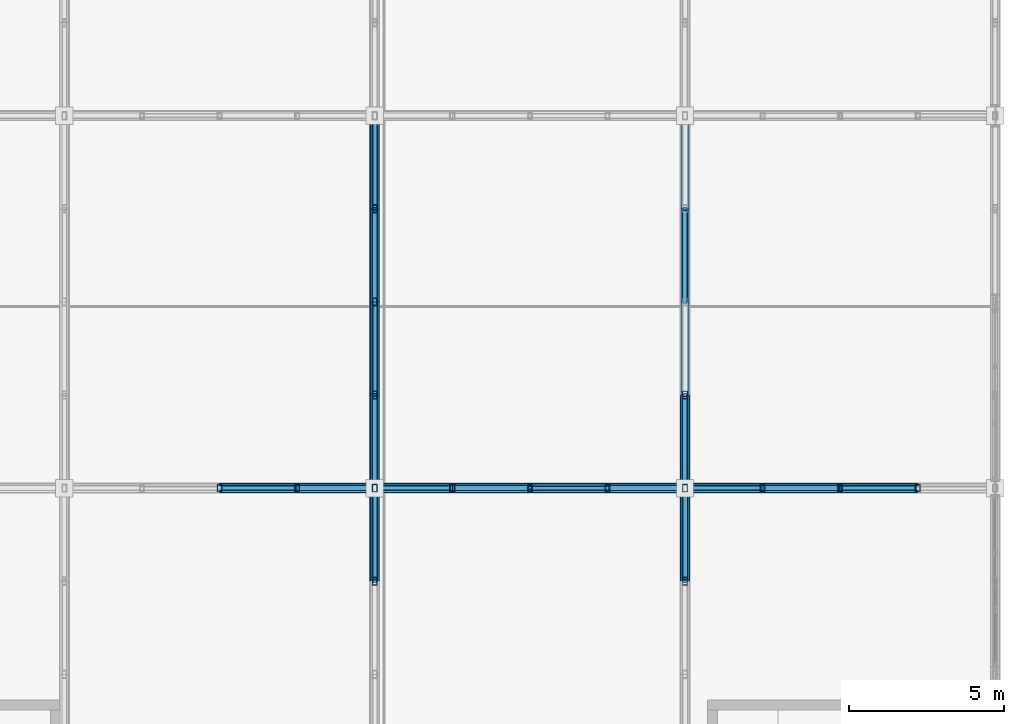
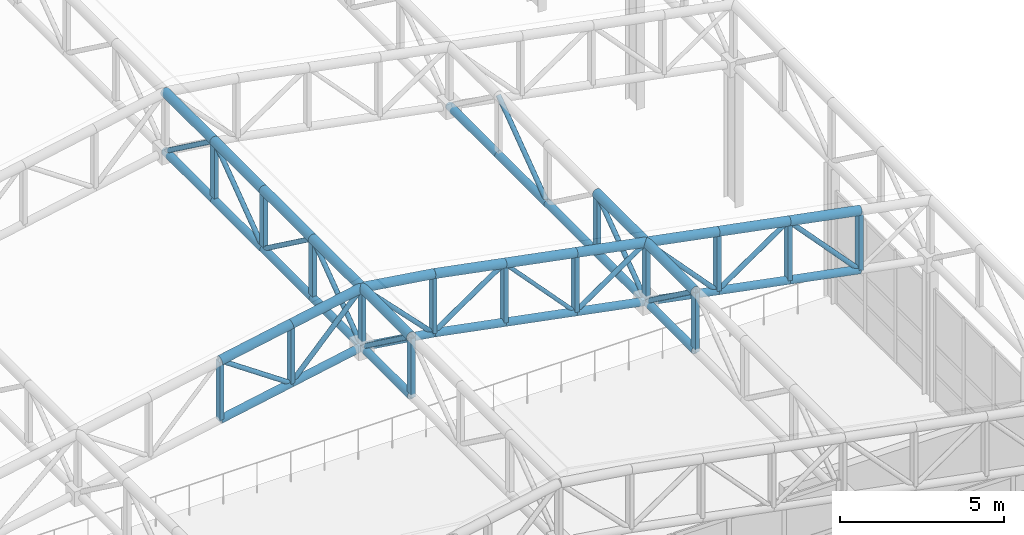
# One storey, part 55 of 112: 68 members.
"""IFC4 building model written with IfcOpenShell, lengths in metres."""

import ifcopenshell
import ifcopenshell.guid

model = None  # the IFC model being written
_history = None  # IfcOwnerHistory: only IFC2X3 demands one
_inside = {}  # id of a spatial element -> (the spatial element, [elements in it])
_under = {}  # id of a project, library or spatial element -> (it, [spatial elements below it])
_declared = {}  # id of a project -> (the project, [libraries it declares])
_typed = {}  # id of a type object -> (the type object, [elements of that type])
_made_of = {}  # id of a material, layer set ... -> (it, [elements and type objects made of it])


def new_model(schema):
    """Start an empty IFC model of exactly this schema.

    Asked for "IFC4X3", IfcOpenShell would pick the latest addendum, in which some entities
    have other attributes; the version numbers below select the first issue.
    IFC2X3 requires an IfcOwnerHistory on every rooted entity: one is made here for all.
    """
    global model, _history
    if schema == "IFC4X3":
        model = ifcopenshell.file(schema_version=(4, 3, 0, 0))
    else:
        model = ifcopenshell.file(schema=schema)
    _inside.clear()
    _under.clear()
    _declared.clear()
    _typed.clear()
    _made_of.clear()
    _history = None
    if model.schema == "IFC2X3":
        org = make("IfcOrganization", Name="unknown")
        user = make(
            "IfcPersonAndOrganization",
            ThePerson=make("IfcPerson", FamilyName="unknown"),
            TheOrganization=org,
        )
        app = make(
            "IfcApplication",
            ApplicationDeveloper=org,
            Version="unknown",
            ApplicationFullName="unknown",
            ApplicationIdentifier="unknown",
        )
        _history = make(
            "IfcOwnerHistory",
            OwningUser=user,
            OwningApplication=app,
            ChangeAction="ADDED",
            CreationDate=0,
        )
    return model


def make(cls, **values):
    """One entity of the class cls with the attributes given. An attribute that is None is left unset."""
    return model.create_entity(
        cls, **{name: value for name, value in values.items() if value is not None}
    )


def rooted(cls, **values):
    """An entity with a GlobalId (a new one), such as an element, a storey or a relation."""
    return make(cls, GlobalId=ifcopenshell.guid.new(), OwnerHistory=_history, **values)


def si_unit(unit_type, name, prefix=None):
    """IfcSIUnit, for example si_unit("LENGTHUNIT", "METRE", prefix="MILLI")."""
    return make("IfcSIUnit", UnitType=unit_type, Prefix=prefix, Name=name)


def assignment(units):
    """IfcUnitAssignment: the units of a project."""
    return None if units is None else make("IfcUnitAssignment", Units=units)


def point(xyz):
    """IfcCartesianPoint."""
    return None if xyz is None else make("IfcCartesianPoint", Coordinates=xyz)


def direction(xyz):
    """IfcDirection."""
    return None if xyz is None else make("IfcDirection", DirectionRatios=xyz)


def frame(location, z_axis=None, x_axis=None):
    """IfcAxis2Placement3D, a coordinate frame: its origin and axes. An axis left out is left unset."""
    return make(
        "IfcAxis2Placement3D",
        Location=point(location),
        Axis=direction(z_axis),
        RefDirection=direction(x_axis),
    )


def frame_2d(location, x_axis=None):
    """IfcAxis2Placement2D, a coordinate frame in the plane: its origin and x axis."""
    return make(
        "IfcAxis2Placement2D", Location=point(location), RefDirection=direction(x_axis)
    )


def origin():
    """The frame at (0, 0, 0) with its axes left unset."""
    return frame((0.0, 0.0, 0.0))


def origin_2d():
    """The frame at (0, 0) in the plane with its x axis left unset."""
    return frame_2d((0.0, 0.0))


def place(relative_to, where):
    """IfcLocalPlacement: puts the frame where relative to a parent placement (None: the world)."""
    return make(
        "IfcLocalPlacement", PlacementRelTo=relative_to, RelativePlacement=where
    )


def context(
    kind, dimensions, precision=None, world=None, true_north=None, identifier=None
):
    """IfcGeometricRepresentationContext, for example the 3D "Model" context."""
    return make(
        "IfcGeometricRepresentationContext",
        ContextIdentifier=identifier,
        ContextType=kind,
        CoordinateSpaceDimension=dimensions,
        Precision=precision,
        WorldCoordinateSystem=world,
        TrueNorth=true_north,
    )


def subcontext(parent, identifier, kind, view, scale=None):
    """IfcGeometricRepresentationSubContext, for example "Body" below "Model"."""
    return make(
        "IfcGeometricRepresentationSubContext",
        ContextIdentifier=identifier,
        ContextType=kind,
        ParentContext=parent,
        TargetScale=scale,
        TargetView=view,
    )


def project(units=None, contexts=None):
    """IfcProject with its units and contexts."""
    return rooted(
        "IfcProject",
        Name="project",
        RepresentationContexts=contexts,
        UnitsInContext=assignment(units),
    )


def spatial(cls, under=None, at=None, **own):
    """A site, building, storey or space (cls), placed at a placement, below another one or the project."""
    s = rooted(cls, ObjectPlacement=at, **own)
    if under is not None:
        _under.setdefault(under.id(), (under, []))[1].append(s)
    return s


def profile(cls, at=None, kind="AREA", **sizes):
    """A parametric profile (cls). Its sizes go by their IFC names, for example OverallWidth=200.0."""
    return make(cls, ProfileType=kind, Position=at, **sizes)


def hollow_rectangle(**sizes):
    """IfcRectangleHollowProfileDef."""
    return profile("IfcRectangleHollowProfileDef", **sizes)


def hollow_circle(**sizes):
    """IfcCircleHollowProfileDef."""
    return profile("IfcCircleHollowProfileDef", **sizes)


def extrude(swept, where, along, depth):
    """IfcExtrudedAreaSolid: the profile swept, set in the frame where, extruded along a direction by depth."""
    return make(
        "IfcExtrudedAreaSolid",
        SweptArea=swept,
        Position=where,
        ExtrudedDirection=direction(along),
        Depth=depth,
    )


def shape(context_of_items, identifier, shape_type, items):
    """IfcShapeRepresentation: the items that make up one representation, for example the "Body"."""
    return make(
        "IfcShapeRepresentation",
        ContextOfItems=context_of_items,
        RepresentationIdentifier=identifier,
        RepresentationType=shape_type,
        Items=items,
    )


def material(Name=None, Category=None):
    """IfcMaterial."""
    return make("IfcMaterial", Name=Name, Category=Category)


def material_profile(
    of_material, cross_section, Name=None, Category=None, Priority=None
):
    """IfcMaterialProfile: a cross section and its material."""
    return make(
        "IfcMaterialProfile",
        Name=Name,
        Material=of_material,
        Profile=cross_section,
        Priority=Priority,
        Category=Category,
    )


def profile_set(profiles, Name=None, composite=None):
    """IfcMaterialProfileSet."""
    return make(
        "IfcMaterialProfileSet",
        Name=Name,
        MaterialProfiles=profiles,
        CompositeProfile=composite,
    )


def made_of(thing, what):
    """Note that an element or type object is made of a material, layer set ...; save() writes the relation."""
    if what is not None:
        _made_of.setdefault(what.id(), (what, []))[1].append(thing)
    return thing


def type_object(cls, material=None, **own):
    """A type object (cls), such as IfcWallType, which elements share."""
    return made_of(rooted(cls, **own), material)


def element(
    cls,
    number,
    at=None,
    inside=None,
    cuts=None,
    type_object=None,
    material=None,
    context=None,
    identifier="Body",
    shape_type=None,
    held_by="IfcProductDefinitionShape",
    body=None,
    shapes=None,
    **own,
):
    """One element of the class cls, such as IfcWall. Its Tag is "e" and its number.

    at: its placement. inside: the storey or other place that contains it. cuts: it is an
    opening in that element (IfcRelVoidsElement). A single representation is given by context,
    identifier, shape_type and body (its items); several are given by shapes. held_by: the class
    of the entity that holds the representations. save() writes the other relations.
    """
    e = rooted(cls, Tag="e%d" % number, ObjectPlacement=at, **own)
    if body is not None:
        shapes = [shape(context, identifier, shape_type, body)]
    if shapes is not None:
        e.Representation = make(held_by, Representations=shapes)
    if inside is not None:
        _inside.setdefault(inside.id(), (inside, []))[1].append(e)
    if cuts is not None:
        rooted(
            "IfcRelVoidsElement", RelatingBuildingElement=cuts, RelatedOpeningElement=e
        )
    if type_object is not None:
        _typed.setdefault(type_object.id(), (type_object, []))[1].append(e)
    return made_of(e, material)


def aggregate(whole, parts):
    """IfcRelAggregates: a whole, such as a stair, and the parts it consists of."""
    return rooted("IfcRelAggregates", RelatingObject=whole, RelatedObjects=parts)


def save(model, path):
    """Write the relations noted so far, then the file.

    IfcRelAggregates (storeys below a building ...), IfcRelContainedInSpatialStructure (elements
    in a storey), IfcRelDefinesByType, IfcRelAssociatesMaterial and IfcRelDeclares: one each for
    every whole, place, type object, material and project.
    """
    for whole, parts in _under.values():
        aggregate(whole, parts)
    for where, things in _inside.values():
        rooted(
            "IfcRelContainedInSpatialStructure",
            RelatedElements=things,
            RelatingStructure=where,
        )
    for kind, things in _typed.values():
        rooted("IfcRelDefinesByType", RelatedObjects=things, RelatingType=kind)
    for what, things in _made_of.values():
        rooted("IfcRelAssociatesMaterial", RelatedObjects=things, RelatingMaterial=what)
    for by, libraries in _declared.values():
        rooted("IfcRelDeclares", RelatingContext=by, RelatedDefinitions=libraries)
    model.write(path)


model = new_model("IFC4")

# Units and contexts
model_context = context("Model", 3, precision=1e-05, world=origin(), true_north=direction((0.0, 1.0)))
body_context = subcontext(model_context, "Body", "Model", "MODEL_VIEW")
ifc_project = project(units=[si_unit("LENGTHUNIT", "METRE"), si_unit("AREAUNIT", "SQUARE_METRE"), si_unit("VOLUMEUNIT", "CUBIC_METRE"), si_unit("PLANEANGLEUNIT", "RADIAN"), si_unit("MASSUNIT", "GRAM", prefix="KILO")], contexts=[model_context])

# Site, building, storey
site_placement = place(None, origin())
site = spatial("IfcSite", under=ifc_project, at=site_placement, CompositionType="ELEMENT")
building_placement = place(site_placement, origin())
building = spatial("IfcBuilding", under=site, at=building_placement, Name="Kaldris Quays Convention Centre", CompositionType="ELEMENT")
storey_placement = place(building_placement, frame((0.0, 0.0, 16.800048828125)))
storey = spatial("IfcBuildingStorey", under=building, at=storey_placement, Name="L03", CompositionType="ELEMENT", Elevation=16.800048828125)

# Members
ifc_material = material(Name="Steel S355J2H", Category="steel")
ifc_material_profile_1 = material_profile(ifc_material, hollow_circle(Radius=0.161865234375, WallThickness=0.01611328125, at=origin_2d()), Name="CHS 323.9x16")
ifc_profile_set_1 = profile_set([ifc_material_profile_1], Name="Steel S355J2H")
member_type_1 = type_object("IfcMemberType", Name="STRUCTURAL MEMBER SC03", PredefinedType="CHORD", material=ifc_profile_set_1)
for number, where, z_axis, x_axis, name in (
    (1, (179.0, 68.0, 10.108154296875), (0.981903710383, 0.0, 0.189380842579), (0.0, 1.0, 0.0), "SF-V2 Top Chord X 21"),
    (2, (181.5, 68.0, 10.59033203125), (0.981903710383, 0.0, 0.189380842579), (0.0, 1.0, 0.0), "SF-V2 Top Chord X 22"),
):
    element("IfcMember", number, at=place(storey_placement, frame(where, z_axis=z_axis, x_axis=x_axis)), inside=storey, type_object=member_type_1, Name=name, PredefinedType="CHORD", context=body_context, shape_type="SweptSolid", body=[
        extrude(hollow_circle(Radius=0.161865234375, WallThickness=0.01611328125, at=origin_2d()), origin(), (0.0, 0.0, 1.0), 2.546142578125),
    ])
member_1_placement = place(storey_placement, frame((184.0, 68.0, 11.072509765625), z_axis=(0.989426934202, 0.0, -0.145032209789), x_axis=(0.0, 1.0, 0.0)))
element("IfcMember", 3, at=member_1_placement, inside=storey, type_object=member_type_1, Name="SF-V2 Top Chord X 23", PredefinedType="CHORD", context=body_context, shape_type="SweptSolid", body=[
    extrude(hollow_circle(Radius=0.161865234375, WallThickness=0.01611328125, at=origin_2d()), origin(), (0.0, 0.0, 1.0), 2.526611328125),
])
for number, where, z_axis, x_axis, name in (
    (4, (186.5, 68.0, 10.7060546875), (0.981903710383, 0.0, -0.189380842579), (0.0, 1.0, 0.0), "SF-V2 Top Chord X 24"),
    (5, (189.0, 68.0, 10.223876953125), (0.981903710383, 0.0, -0.189380842579), (0.0, 1.0, 0.0), "SF-V2 Top Chord X 25"),
    (6, (191.5, 68.0, 9.74169921875), (0.981885875429, 0.0, -0.189473290024), (0.0, 1.0, 0.0), "SF-V2 Top Chord X 26"),
    (7, (194.0, 68.0, 9.25927734375), (0.981903710383, 0.0, -0.189380842579), (0.0, 1.0, 0.0), "SF-V2 Top Chord X 27"),
    (8, (196.5, 68.0, 8.777099609375), (0.981903710383, 0.0, -0.189380842579), (0.0, 1.0, 0.0), "SF-V2 Top Chord X 28"),
    (9, (199.0, 68.0, 8.294921875), (0.981903710383, 0.0, -0.189380842579), (0.0, 1.0, 0.0), "SF-V2 Top Chord X 29"),
):
    element("IfcMember", number, at=place(storey_placement, frame(where, z_axis=z_axis, x_axis=x_axis)), inside=storey, type_object=member_type_1, Name=name, PredefinedType="CHORD", context=body_context, shape_type="SweptSolid", body=[
        extrude(hollow_circle(Radius=0.161865234375, WallThickness=0.01611328125, at=origin_2d()), origin(), (0.0, 0.0, 1.0), 2.546142578125),
    ])
for number, where, z_axis, x_axis, name in (
    (10, (184.0, 65.0, 11.072509765625), (0.0, 1.0, 0.0), (-1.0, 0.0, 0.0), "SF-V2 Top Chord Y 111"),
    (11, (184.0, 68.0, 11.072509765625), (0.0, 1.0, 0.0), (-1.0, 0.0, 0.0), "SF-V2 Top Chord Y 112"),
    (12, (184.0, 71.0, 11.072509765625), (0.0, 1.0, 0.0), (-1.0, 0.0, 0.0), "SF-V2 Top Chord Y 113"),
    (13, (184.0, 74.0, 11.072509765625), (0.0, 1.0, 0.0), (-1.0, 0.0, 0.0), "SF-V2 Top Chord Y 114"),
    (14, (184.0, 77.0, 11.072509765625), (0.0, 1.0, 0.0), (-1.0, 0.0, 0.0), "SF-V2 Top Chord Y 115"),
    (15, (194.0, 65.0, 9.25927734375), (0.0, 1.0, 0.0), (-1.0, 0.0, 0.0), "SF-V2 Top Chord Y 127"),
    (16, (194.0, 68.0, 9.25927734375), (0.0, 1.0, 0.0), (-1.0, 0.0, 0.0), "SF-V2 Top Chord Y 128"),
):
    element("IfcMember", number, at=place(storey_placement, frame(where, z_axis=z_axis, x_axis=x_axis)), inside=storey, type_object=member_type_1, Name=name, PredefinedType="CHORD", context=body_context, shape_type="SweptSolid", body=[
        extrude(hollow_circle(Radius=0.161865234375, WallThickness=0.01611328125, at=origin_2d()), origin(), (0.0, 0.0, 1.0), 3.0),
    ])
ifc_material_profile_2 = material_profile(ifc_material, hollow_circle(Radius=0.136474609375, WallThickness=0.012451171875, at=origin_2d()), Name="CHS 273x12.5")
ifc_profile_set_2 = profile_set([ifc_material_profile_2], Name="Steel S355J2H")
member_type_2 = type_object("IfcMemberType", Name="STRUCTURAL MEMBER SC04", PredefinedType="CHORD", material=ifc_profile_set_2)
for number, where, z_axis, x_axis, name in (
    (17, (179.0, 68.0, 7.908203125), (0.981903710383, 0.0, 0.189380842579), (0.0, 1.0, 0.0), "SF-V2 Bottom Chord X 21"),
    (18, (181.5, 68.0, 8.390380859375), (0.981903710383, 0.0, 0.189380842579), (0.0, 1.0, 0.0), "SF-V2 Bottom Chord X 22"),
):
    element("IfcMember", number, at=place(storey_placement, frame(where, z_axis=z_axis, x_axis=x_axis)), inside=storey, type_object=member_type_2, Name=name, PredefinedType="CHORD", context=body_context, shape_type="SweptSolid", body=[
        extrude(hollow_circle(Radius=0.136474609375, WallThickness=0.012451171875, at=origin_2d()), origin(), (0.0, 0.0, 1.0), 2.546142578125),
    ])
member_2_placement = place(storey_placement, frame((184.0, 68.0, 8.87255859375), z_axis=(0.989426934202, 0.0, -0.145032209789), x_axis=(0.0, 1.0, 0.0)))
element("IfcMember", 19, at=member_2_placement, inside=storey, type_object=member_type_2, Name="SF-V2 Bottom Chord X 23", PredefinedType="CHORD", context=body_context, shape_type="SweptSolid", body=[
    extrude(hollow_circle(Radius=0.136474609375, WallThickness=0.012451171875, at=origin_2d()), origin(), (0.0, 0.0, 1.0), 2.526611328125),
])
for number, where, z_axis, x_axis, name in (
    (20, (186.5, 68.0, 8.506103515625), (0.981903710383, 0.0, -0.189380842579), (0.0, 1.0, 0.0), "SF-V2 Bottom Chord X 24"),
    (21, (189.0, 68.0, 8.02392578125), (0.981903710383, 0.0, -0.189380842579), (0.0, 1.0, 0.0), "SF-V2 Bottom Chord X 25"),
    (22, (191.5, 68.0, 7.541748046875), (0.981885875429, 0.0, -0.189473290024), (0.0, 1.0, 0.0), "SF-V2 Bottom Chord X 26"),
    (23, (194.0, 68.0, 7.059326171875), (0.981903710383, 0.0, -0.189380842579), (0.0, 1.0, 0.0), "SF-V2 Bottom Chord X 27"),
    (24, (196.5, 68.0, 6.5771484375), (0.981903710383, 0.0, -0.189380842579), (0.0, 1.0, 0.0), "SF-V2 Bottom Chord X 28"),
    (25, (199.0, 68.0, 6.094970703125), (0.981885875429, 0.0, -0.189473290024), (0.0, 1.0, 0.0), "SF-V2 Bottom Chord X 29"),
):
    element("IfcMember", number, at=place(storey_placement, frame(where, z_axis=z_axis, x_axis=x_axis)), inside=storey, type_object=member_type_2, Name=name, PredefinedType="CHORD", context=body_context, shape_type="SweptSolid", body=[
        extrude(hollow_circle(Radius=0.136474609375, WallThickness=0.012451171875, at=origin_2d()), origin(), (0.0, 0.0, 1.0), 2.546142578125),
    ])
for number, where, z_axis, x_axis, name in (
    (26, (184.0, 65.0, 8.87255859375), (0.0, 1.0, 0.0), (-1.0, 0.0, 0.0), "SF-V2 Bottom Chord Y 111"),
    (27, (184.0, 68.0, 8.87255859375), (0.0, 1.0, 0.0), (-1.0, 0.0, 0.0), "SF-V2 Bottom Chord Y 112"),
    (28, (184.0, 71.0, 8.87255859375), (0.0, 1.0, 0.0), (-1.0, 0.0, 0.0), "SF-V2 Bottom Chord Y 113"),
    (29, (184.0, 74.0, 8.87255859375), (0.0, 1.0, 0.0), (-1.0, 0.0, 0.0), "SF-V2 Bottom Chord Y 114"),
    (30, (184.0, 77.0, 8.87255859375), (0.0, 1.0, 0.0), (-1.0, 0.0, 0.0), "SF-V2 Bottom Chord Y 115"),
    (31, (194.0, 65.0, 7.059326171875), (0.0, 1.0, 0.0), (-1.0, 0.0, 0.0), "SF-V2 Bottom Chord Y 127"),
    (32, (194.0, 68.0, 7.059326171875), (0.0, 1.0, 0.0), (-1.0, 0.0, 0.0), "SF-V2 Bottom Chord Y 128"),
    (33, (194.0, 71.0, 7.059326171875), (0.0, 1.0, 0.0), (-1.0, 0.0, 0.0), "SF-V2 Bottom Chord Y 129"),
    (34, (194.0, 74.0, 7.059326171875), (0.0, 1.0, 0.0), (-1.0, 0.0, 0.0), "SF-V2 Bottom Chord Y 130"),
    (35, (194.0, 77.0, 7.059326171875), (0.0, 1.0, 0.0), (-1.0, 0.0, 0.0), "SF-V2 Bottom Chord Y 131"),
):
    element("IfcMember", number, at=place(storey_placement, frame(where, z_axis=z_axis, x_axis=x_axis)), inside=storey, type_object=member_type_2, Name=name, PredefinedType="CHORD", context=body_context, shape_type="SweptSolid", body=[
        extrude(hollow_circle(Radius=0.136474609375, WallThickness=0.012451171875, at=origin_2d()), origin(), (0.0, 0.0, 1.0), 3.0),
    ])
ifc_material_profile_3 = material_profile(ifc_material, hollow_circle(Radius=0.084228515625, WallThickness=0.008056640625, at=origin_2d()), Name="CHS 168.3x8")
ifc_profile_set_3 = profile_set([ifc_material_profile_3], Name="Steel S355J2H")
member_type_3 = type_object("IfcMemberType", Name="STRUCTURAL MEMBER SWB2", PredefinedType="BRACE", material=ifc_profile_set_3)
member_3_placement = place(storey_placement, frame((181.5, 68.0, 8.390380859375), z_axis=(-0.8241921955, 0.0, 0.56631018433), x_axis=(0.0, -1.0, 0.0)))
element("IfcMember", 36, at=member_3_placement, inside=storey, type_object=member_type_3, Name="SF-V2 Web Diagonal X 21", PredefinedType="BRACE", context=body_context, shape_type="SweptSolid", body=[
    extrude(hollow_circle(Radius=0.084228515625, WallThickness=0.008056640625, at=origin_2d()), origin(), (0.0, 0.0, 1.0), 3.033203125),
])
member_4_placement = place(storey_placement, frame((181.5, 68.0, 8.390380859375), z_axis=(0.68183413121, 0.0, 0.731506813035), x_axis=(0.0, 1.0, 0.0)))
element("IfcMember", 37, at=member_4_placement, inside=storey, type_object=member_type_3, Name="SF-V2 Web Diagonal X 22", PredefinedType="BRACE", context=body_context, shape_type="SweptSolid", body=[
    extrude(hollow_circle(Radius=0.084228515625, WallThickness=0.008056640625, at=origin_2d()), origin(), (0.0, 0.0, 1.0), 3.66650390625),
])
member_5_placement = place(storey_placement, frame((186.5, 68.0, 8.506103515625), z_axis=(-0.697778676232, 0.0, 0.71631342232), x_axis=(0.0, -1.0, 0.0)))
element("IfcMember", 38, at=member_5_placement, inside=storey, type_object=member_type_3, Name="SF-V2 Web Diagonal X 23", PredefinedType="BRACE", context=body_context, shape_type="SweptSolid", body=[
    extrude(hollow_circle(Radius=0.084228515625, WallThickness=0.008056640625, at=origin_2d()), origin(), (0.0, 0.0, 1.0), 3.582763671875),
])
for number, where, z_axis, x_axis, name in (
    (39, (186.5, 68.0, 8.506103515625), (0.8241921955, 0.0, 0.56631018433), (0.0, 1.0, 0.0), "SF-V2 Web Diagonal X 24"),
    (40, (191.5, 68.0, 7.541748046875), (0.824229762823, 0.0, 0.566255506002), (0.0, 1.0, 0.0), "SF-V2 Web Diagonal X 26"),
):
    element("IfcMember", number, at=place(storey_placement, frame(where, z_axis=z_axis, x_axis=x_axis)), inside=storey, type_object=member_type_3, Name=name, PredefinedType="BRACE", context=body_context, shape_type="SweptSolid", body=[
        extrude(hollow_circle(Radius=0.084228515625, WallThickness=0.008056640625, at=origin_2d()), origin(), (0.0, 0.0, 1.0), 3.033203125),
    ])
member_6_placement = place(storey_placement, frame((196.5, 68.0, 6.5771484375), z_axis=(-0.68183413121, 0.0, 0.731506813035), x_axis=(0.0, -1.0, 0.0)))
element("IfcMember", 41, at=member_6_placement, inside=storey, type_object=member_type_3, Name="SF-V2 Web Diagonal X 27", PredefinedType="BRACE", context=body_context, shape_type="SweptSolid", body=[
    extrude(hollow_circle(Radius=0.084228515625, WallThickness=0.008056640625, at=origin_2d()), origin(), (0.0, 0.0, 1.0), 3.66650390625),
])
member_7_placement = place(storey_placement, frame((196.5, 68.0, 6.5771484375), z_axis=(0.8241921955, 0.0, 0.56631018433), x_axis=(0.0, 1.0, 0.0)))
element("IfcMember", 42, at=member_7_placement, inside=storey, type_object=member_type_3, Name="SF-V2 Web Diagonal X 28", PredefinedType="BRACE", context=body_context, shape_type="SweptSolid", body=[
    extrude(hollow_circle(Radius=0.084228515625, WallThickness=0.008056640625, at=origin_2d()), origin(), (0.0, 0.0, 1.0), 3.033203125),
])
member_8_placement = place(storey_placement, frame((201.5, 68.0, 5.612548828125), z_axis=(-0.681800921589, 0.0, 0.731537766162), x_axis=(0.0, -1.0, 0.0)))
element("IfcMember", 43, at=member_8_placement, inside=storey, type_object=member_type_3, Name="SF-V2 Web Diagonal X 29", PredefinedType="BRACE", context=body_context, shape_type="SweptSolid", body=[
    extrude(hollow_circle(Radius=0.084228515625, WallThickness=0.008056640625, at=origin_2d()), origin(), (0.0, 0.0, 1.0), 3.666748046875),
])
for number, where, z_axis, x_axis, name in (
    (44, (184.0, 68.0, 8.87255859375), (0.0, -0.80641125493, 0.591355128432), (1.0, 0.0, 0.0), "SF-V2 Web Diagonal Y 111"),
    (45, (184.0, 68.0, 8.87255859375), (0.0, 0.80641125493, 0.591355128432), (-1.0, 0.0, 0.0), "SF-V2 Web Diagonal Y 112"),
    (46, (184.0, 74.0, 8.87255859375), (0.0, -0.80641125493, 0.591355128432), (1.0, 0.0, 0.0), "SF-V2 Web Diagonal Y 113"),
    (47, (184.0, 74.0, 8.87255859375), (0.0, 0.80641125493, 0.591355128432), (-1.0, 0.0, 0.0), "SF-V2 Web Diagonal Y 114"),
    (48, (184.0, 80.0, 8.87255859375), (0.0, -0.80641125493, 0.591355128432), (1.0, 0.0, 0.0), "SF-V2 Web Diagonal Y 115"),
    (49, (194.0, 68.0, 7.059326171875), (0.0, -0.80641125493, 0.591355128432), (1.0, 0.0, 0.0), "SF-V2 Web Diagonal Y 127"),
    (50, (194.0, 68.0, 7.059326171875), (0.0, 0.80641125493, 0.591355128432), (-1.0, 0.0, 0.0), "SF-V2 Web Diagonal Y 128"),
    (51, (194.0, 74.0, 7.059326171875), (0.0, 0.80641125493, 0.591355128432), (-1.0, 0.0, 0.0), "SF-V2 Web Diagonal Y 130"),
):
    element("IfcMember", number, at=place(storey_placement, frame(where, z_axis=z_axis, x_axis=x_axis)), inside=storey, type_object=member_type_3, Name=name, PredefinedType="BRACE", context=body_context, shape_type="SweptSolid", body=[
        extrude(hollow_circle(Radius=0.084228515625, WallThickness=0.008056640625, at=origin_2d()), origin(), (0.0, 0.0, 1.0), 3.72021484375),
    ])
ifc_material_profile_4 = material_profile(ifc_material, hollow_circle(Radius=0.06982421875, WallThickness=0.00634765625, at=origin_2d()), Name="CHS 139.7x6.3")
ifc_profile_set_4 = profile_set([ifc_material_profile_4], Name="Steel S355J2H")
member_type_4 = type_object("IfcMemberType", Name="STRUCTURAL MEMBER SWB4", PredefinedType="BRACE", material=ifc_profile_set_4)
member_9_placement = place(storey_placement, frame((191.5, 68.0, 7.541748046875), z_axis=(-0.68183413121, 0.0, 0.731506813035), x_axis=(0.0, -1.0, 0.0)))
element("IfcMember", 52, at=member_9_placement, inside=storey, type_object=member_type_4, Name="SF-V2 Web Diagonal X 25", PredefinedType="BRACE", context=body_context, shape_type="SweptSolid", body=[
    extrude(hollow_circle(Radius=0.06982421875, WallThickness=0.00634765625, at=origin_2d()), origin(), (0.0, 0.0, 1.0), 3.66650390625),
])
ifc_material_profile_5 = material_profile(ifc_material, hollow_rectangle(XDim=0.14990234375, YDim=0.25, WallThickness=0.010009765625, at=origin_2d()), Name="RHS 250x150x10")
ifc_profile_set_5 = profile_set([ifc_material_profile_5], Name="Steel S355J2H")
member_type_5 = type_object("IfcMemberType", Name="STRUCTURAL MEMBER TTV1", PredefinedType="POST", material=ifc_profile_set_5)
for number, where, z_axis, x_axis, name in (
    (53, (179.0, 68.0, 7.908203125), (0.0, 0.0, 1.0), (1.0, 0.0, 0.0), "SF-V2 Space-Frame Post 51"),
    (54, (181.5, 68.0, 8.390380859375), (0.0, 0.0, 1.0), (1.0, 0.0, 0.0), "SF-V2 Space-Frame Post 56"),
    (55, (184.0, 65.0, 8.87255859375), (0.0, 0.0, 1.0), (1.0, 0.0, 0.0), "SF-V2 Space-Frame Post 63"),
    (56, (184.0, 68.0, 8.87255859375), (0.0, 0.0, 1.0), (1.0, 0.0, 0.0), "SF-V2 Space-Frame Post 64"),
    (57, (184.0, 71.0, 8.87255859375), (0.0, 0.0, 1.0), (1.0, 0.0, 0.0), "SF-V2 Space-Frame Post 65"),
    (58, (184.0, 74.0, 8.87255859375), (0.0, 0.0, 1.0), (1.0, 0.0, 0.0), "SF-V2 Space-Frame Post 66"),
    (59, (184.0, 77.0, 8.87255859375), (0.0, 0.0, 1.0), (1.0, 0.0, 0.0), "SF-V2 Space-Frame Post 67"),
    (60, (186.5, 68.0, 8.506103515625), (0.0, 0.0, 1.0), (1.0, 0.0, 0.0), "SF-V2 Space-Frame Post 78"),
    (61, (189.0, 68.0, 8.02392578125), (0.0, 0.0, 1.0), (1.0, 0.0, 0.0), "SF-V2 Space-Frame Post 83"),
    (62, (191.5, 68.0, 7.541748046875), (0.0, 0.0, 1.0), (1.0, 0.0, 0.0), "SF-V2 Space-Frame Post 88"),
    (63, (194.0, 65.0, 7.059326171875), (0.0, 0.0, 1.0), (1.0, 0.0, 0.0), "SF-V2 Space-Frame Post 95"),
    (64, (194.0, 68.0, 7.059326171875), (0.0, 0.0, 1.0), (1.0, 0.0, 0.0), "SF-V2 Space-Frame Post 96"),
    (65, (194.0, 71.0, 7.059326171875), (0.0, 0.0, 1.0), (1.0, 0.0, 0.0), "SF-V2 Space-Frame Post 97"),
    (66, (196.5, 68.0, 6.5771484375), (0.0, 0.0, 1.0), (1.0, 0.0, 0.0), "SF-V2 Space-Frame Post 110"),
    (67, (199.0, 68.0, 6.094970703125), (0.0, 0.0, 1.0), (1.0, 0.0, 0.0), "SF-V2 Space-Frame Post 115"),
):
    element("IfcMember", number, at=place(storey_placement, frame(where, z_axis=z_axis, x_axis=x_axis)), inside=storey, type_object=member_type_5, Name=name, PredefinedType="POST", context=body_context, shape_type="SweptSolid", body=[
        extrude(hollow_rectangle(XDim=0.14990234375, YDim=0.25, WallThickness=0.010009765625, at=origin_2d()), origin(), (0.0, 0.0, 1.0), 2.199951171875),
    ])
member_10_placement = place(storey_placement, frame((201.5, 68.0, 5.612548828125), z_axis=(0.0, 0.0, 1.0), x_axis=(1.0, 0.0, 0.0)))
element("IfcMember", 68, at=member_10_placement, inside=storey, type_object=member_type_5, Name="SF-V2 Space-Frame Post 120", PredefinedType="POST", context=body_context, shape_type="SweptSolid", body=[
    extrude(hollow_rectangle(XDim=0.14990234375, YDim=0.25, WallThickness=0.010009765625, at=origin_2d()), origin(), (0.0, 0.0, 1.0), 2.2001953125),
])

save(model, "model.ifc")
